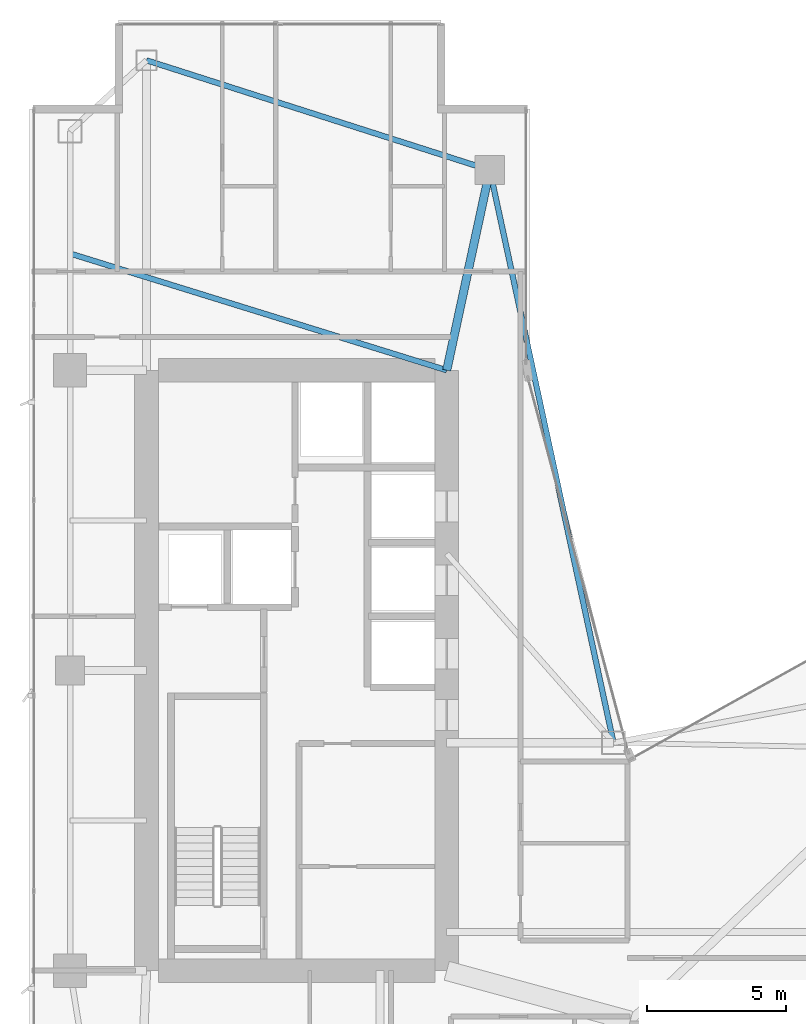
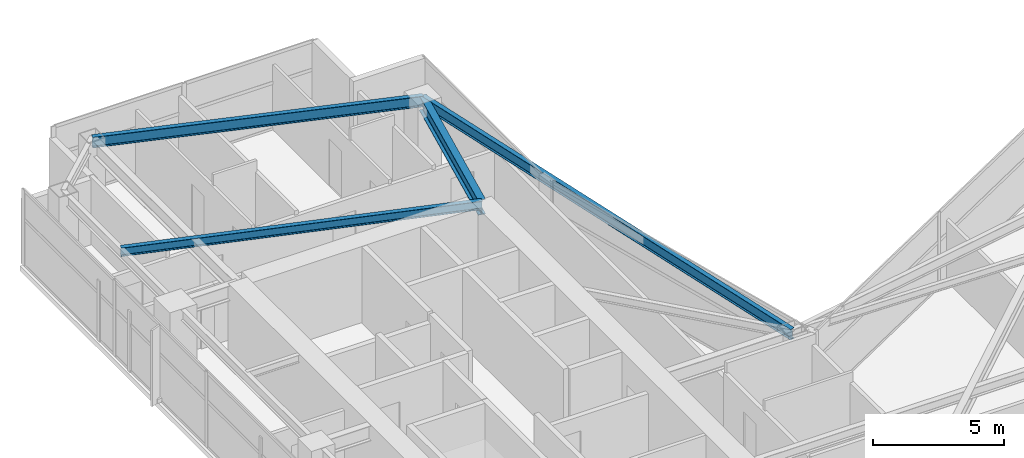
# One storey, part 17 of 28: 4 beams.
"""IFC4 building model written with IfcOpenShell, lengths in metres."""

from ifc_helpers import new_model, si_unit, direction, frame, origin, origin_2d, place, context, subcontext, project, spatial, i_section, extrude, material, material_profile, profile_set, type_object, element, save


model = new_model("IFC4")

# Units and contexts
model_context = context("Model", 3, precision=1e-05, world=origin(), true_north=direction((0.0, 1.0)))
body_context = subcontext(model_context, "Body", "Model", "MODEL_VIEW")
ifc_project = project(units=[si_unit("LENGTHUNIT", "METRE"), si_unit("AREAUNIT", "SQUARE_METRE"), si_unit("VOLUMEUNIT", "CUBIC_METRE"), si_unit("PLANEANGLEUNIT", "RADIAN"), si_unit("MASSUNIT", "GRAM", prefix="KILO")], contexts=[model_context])

# Site, building, storey
site_placement = place(None, origin())
site = spatial("IfcSite", under=ifc_project, at=site_placement, CompositionType="ELEMENT")
building_placement = place(site_placement, origin())
building = spatial("IfcBuilding", under=site, at=building_placement, Name="Calvorn Quay Hotel", CompositionType="ELEMENT")
storey_placement = place(building_placement, frame((0.0, 0.0, 101.199951171875)))
storey = spatial("IfcBuildingStorey", under=building, at=storey_placement, Name="L24", CompositionType="ELEMENT", Elevation=101.199951171875)

# Beams
ifc_material_1 = material(Name="Steel Q390GJC", Category="steel")
ifc_material_profile_1 = material_profile(ifc_material_1, i_section(OverallWidth=0.300048828125, OverallDepth=0.699951171875, WebThickness=0.012939453125, FlangeThickness=0.02392578125, FilletRadius=0.02392578125, at=origin_2d()), Name="HN700x300x13x24")
ifc_profile_set_1 = profile_set([ifc_material_profile_1], Name="Steel Q390GJC")
beam_type_1 = type_object("IfcBeamType", Name="BM-GIRD-MAIN", PredefinedType="BEAM", material=ifc_profile_set_1)
beam_1_placement = place(storey_placement, frame((16.550048828125, 45.60009765625, 3.18994140625), z_axis=(-0.210457140491, -0.97760308511, 0.0), x_axis=(0.97760308511, -0.210457140491, 0.0)))
element("IfcBeam", 1, at=beam_1_placement, inside=storey, type_object=beam_type_1, Name="Beam BG-L24-W6", PredefinedType="BEAM", context=body_context, shape_type="SweptSolid", body=[
    extrude(i_section(OverallWidth=0.300048828125, OverallDepth=0.699951171875, WebThickness=0.012939453125, FlangeThickness=0.02392578125, FilletRadius=0.02392578125, at=origin_2d()), origin(), (0.0, 0.0, 1.0), 7.365234375),
])
ifc_material_2 = material(Name="Steel Q355B", Category="steel")
ifc_material_profile_2 = material_profile(ifc_material_2, i_section(OverallWidth=0.199951171875, OverallDepth=0.39990234375, WebThickness=0.008056640625, FlangeThickness=0.012939453125, FilletRadius=0.01611328125, at=origin_2d()), Name="HN400x200x8x13")
ifc_profile_set_2 = profile_set([ifc_material_profile_2], Name="Steel Q355B")
beam_type_2 = type_object("IfcBeamType", Name="BM-JOIST-TYP", PredefinedType="JOIST", material=ifc_profile_set_2)
beam_2_placement = place(storey_placement, frame((1.449951171875, 42.60009765625, 3.340087890625), z_axis=(0.955163702122, -0.296078202759, 0.0), x_axis=(0.296078202759, 0.955163702122, 0.0)))
element("IfcBeam", 2, at=beam_2_placement, inside=storey, type_object=beam_type_2, Name="Beam BJ-L24-W2", PredefinedType="JOIST", context=body_context, shape_type="SweptSolid", body=[
    extrude(i_section(OverallWidth=0.199951171875, OverallDepth=0.39990234375, WebThickness=0.008056640625, FlangeThickness=0.012939453125, FilletRadius=0.01611328125, at=origin_2d()), origin(), (0.0, 0.0, 1.0), 14.18603515625),
])
ifc_material_3 = material(Name="Steel Q355B", Category="steel")
ifc_material_profile_3 = material_profile(ifc_material_3, i_section(OverallWidth=0.199951171875, OverallDepth=0.5, WebThickness=0.010009765625, FlangeThickness=0.01611328125, FilletRadius=0.01611328125, at=origin_2d()), Name="HN500x200x10x16")
ifc_profile_set_3 = profile_set([ifc_material_profile_3], Name="Steel Q355B")
beam_type_3 = type_object("IfcBeamType", Name="BM-SPANDREL-Z1", PredefinedType="SPANDREL", material=ifc_profile_set_3)
beam_3_placement = place(storey_placement, frame((4.199951171875, 49.550048828125, 3.2900390625), z_axis=(0.952470702374, -0.304630203885, 0.0), x_axis=(0.304630203885, 0.952470702374, 0.0)))
element("IfcBeam", 3, at=beam_3_placement, inside=storey, type_object=beam_type_3, Name="Beam BSP-L24-W6", PredefinedType="SPANDREL", context=body_context, shape_type="SweptSolid", body=[
    extrude(i_section(OverallWidth=0.199951171875, OverallDepth=0.5, WebThickness=0.010009765625, FlangeThickness=0.01611328125, FilletRadius=0.01611328125, at=origin_2d()), origin(), (0.0, 0.0, 1.0), 12.96630859375),
])
beam_4_placement = place(storey_placement, frame((16.550048828125, 45.60009765625, 3.2900390625), z_axis=(0.211145848376, -0.977454567084, 0.0), x_axis=(0.977454567084, 0.211145848376, 0.0)))
element("IfcBeam", 4, at=beam_4_placement, inside=storey, type_object=beam_type_3, Name="Beam BSP-L24-W7", PredefinedType="SPANDREL", context=body_context, shape_type="SweptSolid", body=[
    extrude(i_section(OverallWidth=0.199951171875, OverallDepth=0.5, WebThickness=0.010009765625, FlangeThickness=0.01611328125, FilletRadius=0.01611328125, at=origin_2d()), origin(), (0.0, 0.0, 1.0), 21.0751953125),
])

save(model, "model.ifc")
